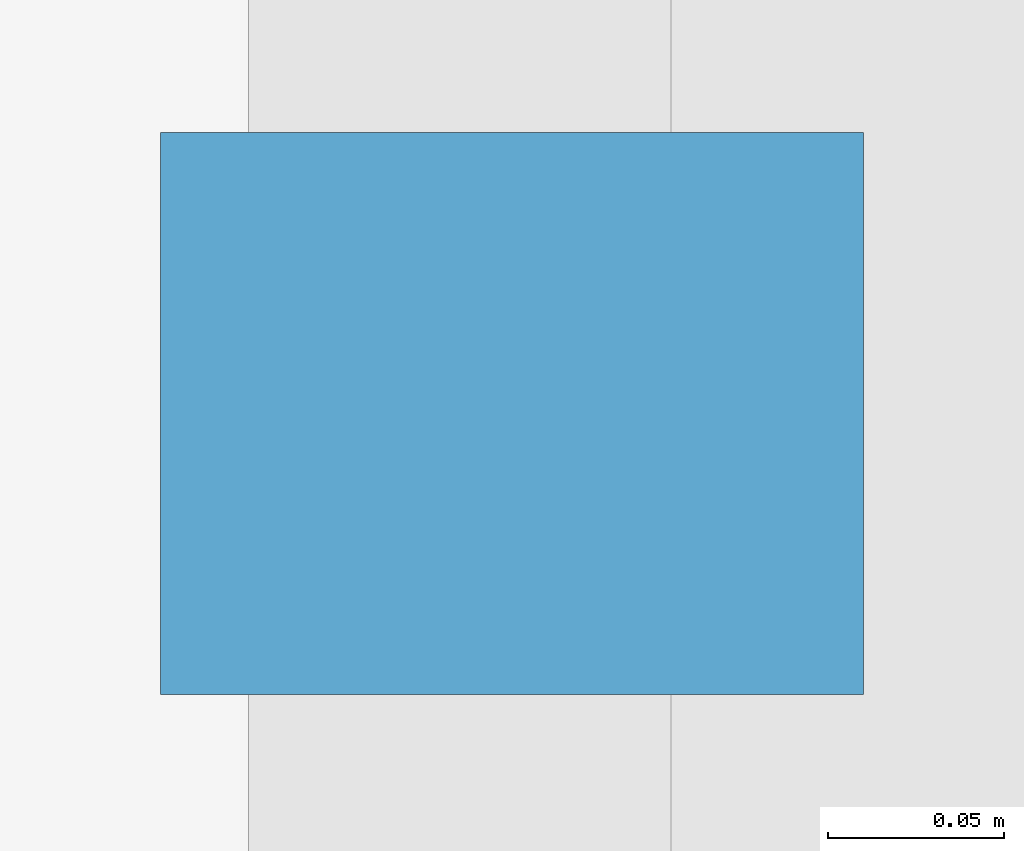
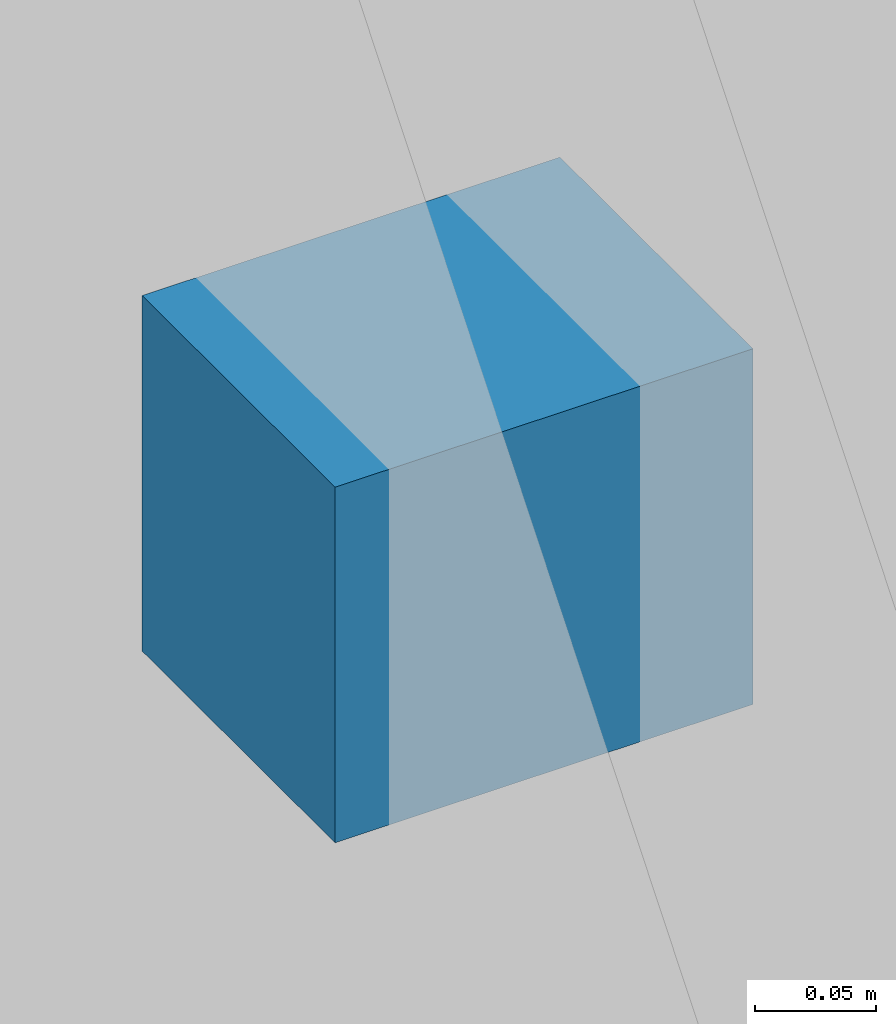
# One storey, part 14 of 18: 1 discrete accessory.
"""IFC4 building model written with IfcOpenShell, lengths in metres."""

from ifc_helpers import new_model, si_unit, direction, frame, origin, origin_2d, place, context, subcontext, project, spatial, rectangle, extrude, material, type_object, element, save


model = new_model("IFC4")

# Units and contexts
model_context = context("Model", 3, precision=1e-05, world=origin(), true_north=direction((0.0, 1.0)))
body_context = subcontext(model_context, "Body", "Model", "MODEL_VIEW")
ifc_project = project(units=[si_unit("LENGTHUNIT", "METRE"), si_unit("AREAUNIT", "SQUARE_METRE"), si_unit("VOLUMEUNIT", "CUBIC_METRE"), si_unit("PLANEANGLEUNIT", "RADIAN"), si_unit("MASSUNIT", "GRAM", prefix="KILO")], contexts=[model_context])

# Site, building, storey
site_placement = place(None, origin())
site = spatial("IfcSite", under=ifc_project, at=site_placement, CompositionType="ELEMENT")
building_placement = place(site_placement, origin())
building = spatial("IfcBuilding", under=site, at=building_placement, Name="Koriwani Terraces Tower", CompositionType="ELEMENT")
storey_placement = place(building_placement, frame((0.0, 0.0, 145.60009765625)))
storey = spatial("IfcBuildingStorey", under=building, at=storey_placement, Name="L35", CompositionType="ELEMENT", Elevation=145.60009765625)

# Discrete accessory
ifc_material = material(Name="Steel ASTM A572 Grade 50", Category="steel")
discrete_accessory_type = type_object("IfcDiscreteAccessoryType", Name="BAGUETTE_STANDOFF_BRACKET", PredefinedType="BRACKET", material=ifc_material)
discrete_accessory_placement = place(storey_placement, frame((33.2099609375, 71.39990234375, 1.68505859375), z_axis=(0.0, 0.0, 1.0), x_axis=(0.0, -1.0, 0.0)))
element("IfcDiscreteAccessory", 1, at=discrete_accessory_placement, inside=storey, type_object=discrete_accessory_type, Name="L35 Terracotta Baguette Bracket (NW_IN-14)", PredefinedType="BRACKET", context=body_context, shape_type="SweptSolid", body=[
    extrude(rectangle(XDim=0.159912109375, YDim=0.199951171875, at=origin_2d()), origin(), (0.0, 0.0, 1.0), 0.179931640625),
])

save(model, "model.ifc")
